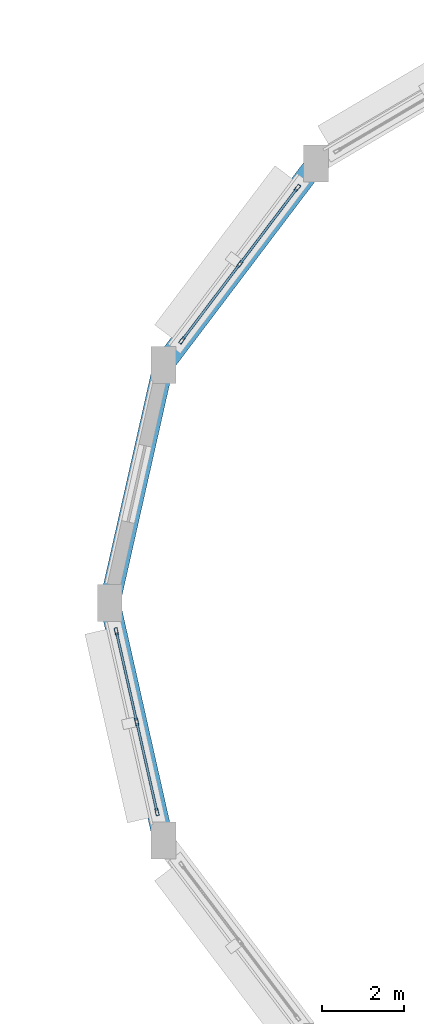
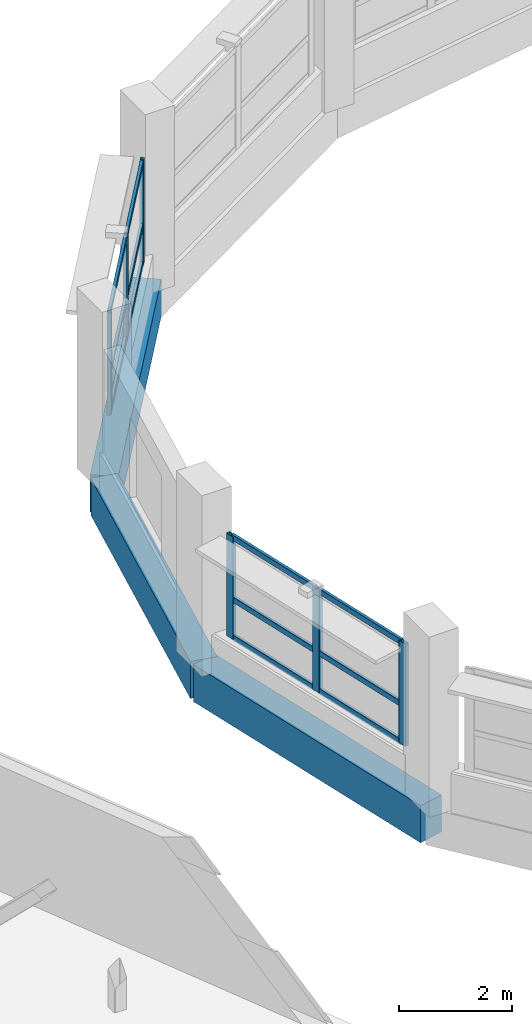
# One storey, part 53 of 121: 18 members, 3 beams, 2 elements without a shape of their own.
"""IFC4 building model written with IfcOpenShell, lengths in metres."""

from ifc_helpers import new_model, si_unit, direction, frame, origin, origin_2d, place, context, subcontext, project, spatial, rectangle, hollow_rectangle, extrude, material, layer, layer_set, material_profile, profile_set, type_object, element, aggregate, save


model = new_model("IFC4")

# Units and contexts
model_context = context("Model", 3, precision=1e-05, world=origin(), true_north=direction((0.0, 1.0)))
body_context = subcontext(model_context, "Body", "Model", "MODEL_VIEW")
ifc_project = project(units=[si_unit("LENGTHUNIT", "METRE"), si_unit("AREAUNIT", "SQUARE_METRE"), si_unit("VOLUMEUNIT", "CUBIC_METRE"), si_unit("PLANEANGLEUNIT", "RADIAN"), si_unit("MASSUNIT", "GRAM", prefix="KILO")], contexts=[model_context])

# Site, building, storey
site_placement = place(None, origin())
site = spatial("IfcSite", under=ifc_project, at=site_placement, CompositionType="ELEMENT")
building_placement = place(site_placement, origin())
building = spatial("IfcBuilding", under=site, at=building_placement, Name="Vespera Passage Community Centre", CompositionType="ELEMENT")
storey_placement = place(building_placement, frame((0.0, 0.0, 8.699951171875)))
storey = spatial("IfcBuildingStorey", under=building, at=storey_placement, Name="L02", CompositionType="ELEMENT", Elevation=8.699951171875)

# Beams
ifc_material_1 = material(Name="Concrete f'c 35 MPa", Category="concrete")
ifc_material_profile_1 = material_profile(ifc_material_1, rectangle(XDim=0.5, YDim=0.800048828125, at=origin_2d()), Name="RC500X800")
ifc_profile_set_1 = profile_set([ifc_material_profile_1], Name="Concrete f'c 35 MPa")
beam_type = type_object("IfcBeamType", Name="BM-SP-500X800E", PredefinedType="SPANDREL", material=ifc_profile_set_1)
beam_placement = place(storey_placement, frame((130.908447265625, 100.17724609375, -0.39990234375), z_axis=(-0.603409203322, -0.797431710773, 0.0), x_axis=(0.797431710773, -0.603409203322, 0.0)))
element("IfcBeam", 1, at=beam_placement, inside=storey, type_object=beam_type, Name="V2 L02 Perimeter Spandrel 7", PredefinedType="SPANDREL", context=body_context, shape_type="SweptSolid", body=[
    extrude(rectangle(XDim=0.5, YDim=0.800048828125, at=origin_2d()), origin(), (0.0, 0.0, 1.0), 6.14306640625),
])
for number, where, z_axis, x_axis, name in (
    (2, (127.20166015625, 95.278564453125, -0.39990234375), (-0.219766204697, -0.9755525692, 0.0), (0.9755525692, -0.219766204697, 0.0), "V2 L02 Perimeter Spandrel 8"),
    (3, (125.89990234375, 89.5, -0.39990234375), (0.219766204697, -0.9755525692, 0.0), (0.9755525692, 0.219766204697, 0.0), "V2 L02 Perimeter Spandrel 9"),
):
    element("IfcBeam", number, at=place(storey_placement, frame(where, z_axis=z_axis, x_axis=x_axis)), inside=storey, type_object=beam_type, Name=name, PredefinedType="SPANDREL", context=body_context, shape_type="SweptSolid", body=[
        extrude(rectangle(XDim=0.5, YDim=0.800048828125, at=origin_2d()), origin(), (0.0, 0.0, 1.0), 5.92333984375),
    ])

# Curtain wall, members
ifc_material_2 = material(Name="Anodized aluminium 6063-T6", Category="aluminium")
ifc_layer_1 = layer(ifc_material_2, 0.159912109375)
ifc_layer_set_1 = layer_set([ifc_layer_1], Name="Anodized aluminium 6063-T6")
curtain_wall_type_1 = type_object("IfcCurtainWallType", Name="CW-98E", PredefinedType="NOTDEFINED", material=ifc_layer_set_1)
curtain_wall_1_placement = place(storey_placement, origin())
curtain_wall_1 = element("IfcCurtainWall", 4, at=curtain_wall_1_placement, inside=storey, type_object=curtain_wall_type_1, Name="Sports Drum Ribbon Curtain Wall L02.7", PredefinedType="NOTDEFINED")
ifc_material_3 = material(Name="Anodized aluminium 6063-T6", Category="aluminium")
ifc_material_profile_2 = material_profile(ifc_material_3, hollow_rectangle(XDim=0.074951171875, YDim=0.179931640625, WallThickness=0.0048828125, InnerFilletRadius=0.00244140625, OuterFilletRadius=0.0048828125, at=origin_2d()), Name="ALU180X75X5")
ifc_profile_set_2 = profile_set([ifc_material_profile_2], Name="Anodized aluminium 6063-T6")
member_type_1 = type_object("IfcMemberType", Name="MB-CWM-180E", PredefinedType="MULLION", material=ifc_profile_set_2)
member_1_placement = place(storey_placement, frame((127.654052734375, 95.876220703125, 0.85009765625), z_axis=(0.0, 0.0, 1.0), x_axis=(-0.797434495654, 0.603405522961, 0.0)))
member_1 = element("IfcMember", 5, at=member_1_placement, type_object=member_type_1, Name="CW-98E mullion 1", PredefinedType="MULLION", context=body_context, shape_type="SweptSolid", body=[
    extrude(hollow_rectangle(XDim=0.074951171875, YDim=0.179931640625, WallThickness=0.0048828125, InnerFilletRadius=0.00244140625, OuterFilletRadius=0.0048828125, at=origin_2d()), origin(), (0.0, 0.0, 1.0), 2.21484375),
])
member_2_placement = place(storey_placement, frame((129.05517578125, 97.727783203125, 0.85009765625), z_axis=(0.0, 0.0, 1.0), x_axis=(-0.797434495654, 0.603405522961, 0.0)))
member_2 = element("IfcMember", 6, at=member_2_placement, type_object=member_type_1, Name="CW-98E mullion 2", PredefinedType="MULLION", context=body_context, shape_type="SweptSolid", body=[
    extrude(hollow_rectangle(XDim=0.074951171875, YDim=0.179931640625, WallThickness=0.0048828125, InnerFilletRadius=0.00244140625, OuterFilletRadius=0.0048828125, at=origin_2d()), origin(), (0.0, 0.0, 1.0), 2.21484375),
])
member_3_placement = place(storey_placement, frame((130.4560546875, 99.57958984375, 0.85009765625), z_axis=(0.0, 0.0, 1.0), x_axis=(-0.797434495654, 0.603405522961, 0.0)))
member_3 = element("IfcMember", 7, at=member_3_placement, type_object=member_type_1, Name="CW-98E mullion 3", PredefinedType="MULLION", context=body_context, shape_type="SweptSolid", body=[
    extrude(hollow_rectangle(XDim=0.074951171875, YDim=0.179931640625, WallThickness=0.0048828125, InnerFilletRadius=0.00244140625, OuterFilletRadius=0.0048828125, at=origin_2d()), origin(), (0.0, 0.0, 1.0), 2.21484375),
])

ifc_material_4 = material(Name="Anodized aluminium 6063-T6", Category="aluminium")
ifc_layer_2 = layer(ifc_material_4, 0.159912109375)
ifc_layer_set_2 = layer_set([ifc_layer_2], Name="Anodized aluminium 6063-T6")
curtain_wall_type_2 = type_object("IfcCurtainWallType", Name="CW-97E", PredefinedType="NOTDEFINED", material=ifc_layer_set_2)
curtain_wall_2_placement = place(storey_placement, origin())
curtain_wall_2 = element("IfcCurtainWall", 8, at=curtain_wall_2_placement, inside=storey, type_object=curtain_wall_type_2, Name="Sports Drum Ribbon Curtain Wall L02.9", PredefinedType="NOTDEFINED")
member_4_placement = place(storey_placement, frame((127.044921875, 84.417724609375, 0.85009765625), z_axis=(0.0, 0.0, 1.0), x_axis=(-0.975553383073, -0.219762591846, 0.0)))
member_4 = element("IfcMember", 9, at=member_4_placement, type_object=member_type_1, Name="CW-97E mullion 1", PredefinedType="MULLION", context=body_context, shape_type="SweptSolid", body=[
    extrude(hollow_rectangle(XDim=0.074951171875, YDim=0.179931640625, WallThickness=0.0048828125, InnerFilletRadius=0.00244140625, OuterFilletRadius=0.0048828125, at=origin_2d()), origin(), (0.0, 0.0, 1.0), 2.21484375),
])
member_5_placement = place(storey_placement, frame((126.55078125, 86.61083984375, 0.85009765625), z_axis=(0.0, 0.0, 1.0), x_axis=(-0.975553383073, -0.219762591846, 0.0)))
member_5 = element("IfcMember", 10, at=member_5_placement, type_object=member_type_1, Name="CW-97E mullion 2", PredefinedType="MULLION", context=body_context, shape_type="SweptSolid", body=[
    extrude(hollow_rectangle(XDim=0.074951171875, YDim=0.179931640625, WallThickness=0.0048828125, InnerFilletRadius=0.00244140625, OuterFilletRadius=0.0048828125, at=origin_2d()), origin(), (0.0, 0.0, 1.0), 2.21484375),
])
member_6_placement = place(storey_placement, frame((126.056884765625, 88.8037109375, 0.85009765625), z_axis=(0.0, 0.0, 1.0), x_axis=(-0.975553383073, -0.219762591846, 0.0)))
member_6 = element("IfcMember", 11, at=member_6_placement, type_object=member_type_1, Name="CW-97E mullion 3", PredefinedType="MULLION", context=body_context, shape_type="SweptSolid", body=[
    extrude(hollow_rectangle(XDim=0.074951171875, YDim=0.179931640625, WallThickness=0.0048828125, InnerFilletRadius=0.00244140625, OuterFilletRadius=0.0048828125, at=origin_2d()), origin(), (0.0, 0.0, 1.0), 2.21484375),
])

# Member
ifc_material_5 = material(Name="Anodized aluminium 6063-T6", Category="aluminium")
ifc_material_profile_3 = material_profile(ifc_material_5, hollow_rectangle(XDim=0.06005859375, YDim=0.1201171875, WallThickness=0.00390625, InnerFilletRadius=0.001953125, OuterFilletRadius=0.00390625, at=origin_2d()), Name="ALU120X60X4")
ifc_profile_set_3 = profile_set([ifc_material_profile_3], Name="Anodized aluminium 6063-T6")
member_type_2 = type_object("IfcMemberType", Name="MB-CWT-120E", PredefinedType="USERDEFINED", material=ifc_profile_set_3)
member_7_placement = place(storey_placement, frame((127.6767578125, 95.90625, 0.880126953125), z_axis=(0.603384780926, 0.797450190386, 0.0), x_axis=(-0.797450190386, 0.603384780926, 0.0)))
member_7 = element("IfcMember", 12, at=member_7_placement, type_object=member_type_2, Name="CW-98E transom 1.1", ObjectType="TRANSOM", PredefinedType="USERDEFINED", context=body_context, shape_type="SweptSolid", body=[
    extrude(hollow_rectangle(XDim=0.06005859375, YDim=0.1201171875, WallThickness=0.00390625, InnerFilletRadius=0.001953125, OuterFilletRadius=0.00390625, at=origin_2d()), origin(), (0.0, 0.0, 1.0), 2.246826171875),
])

member_8_placement = place(storey_placement, frame((127.6767578125, 95.90625, 1.699951171875), z_axis=(0.603384780926, 0.797450190386, 0.0), x_axis=(-0.797450190386, 0.603384780926, 0.0)))
member_8 = element("IfcMember", 13, at=member_8_placement, type_object=member_type_2, Name="CW-98E transom 1.2", ObjectType="TRANSOM", PredefinedType="USERDEFINED", context=body_context, shape_type="SweptSolid", body=[
    extrude(hollow_rectangle(XDim=0.06005859375, YDim=0.1201171875, WallThickness=0.00390625, InnerFilletRadius=0.001953125, OuterFilletRadius=0.00390625, at=origin_2d()), origin(), (0.0, 0.0, 1.0), 2.246826171875),
])

member_9_placement = place(storey_placement, frame((127.6767578125, 95.90625, 3.03515625), z_axis=(0.603384780926, 0.797450190386, 0.0), x_axis=(-0.797450190386, 0.603384780926, 0.0)))
member_9 = element("IfcMember", 14, at=member_9_placement, type_object=member_type_2, Name="CW-98E transom 1.3", ObjectType="TRANSOM", PredefinedType="USERDEFINED", context=body_context, shape_type="SweptSolid", body=[
    extrude(hollow_rectangle(XDim=0.06005859375, YDim=0.1201171875, WallThickness=0.00390625, InnerFilletRadius=0.001953125, OuterFilletRadius=0.00390625, at=origin_2d()), origin(), (0.0, 0.0, 1.0), 2.246826171875),
])

member_10_placement = place(storey_placement, frame((129.07763671875, 97.7578125, 0.880126953125), z_axis=(0.603453873456, 0.797397907328, 0.0), x_axis=(-0.797397907328, 0.603453873456, 0.0)))
member_10 = element("IfcMember", 15, at=member_10_placement, type_object=member_type_2, Name="CW-98E transom 2.1", ObjectType="TRANSOM", PredefinedType="USERDEFINED", context=body_context, shape_type="SweptSolid", body=[
    extrude(hollow_rectangle(XDim=0.06005859375, YDim=0.1201171875, WallThickness=0.00390625, InnerFilletRadius=0.001953125, OuterFilletRadius=0.00390625, at=origin_2d()), origin(), (0.0, 0.0, 1.0), 2.2470703125),
])

member_11_placement = place(storey_placement, frame((129.07763671875, 97.7578125, 1.699951171875), z_axis=(0.603453873456, 0.797397907328, 0.0), x_axis=(-0.797397907328, 0.603453873456, 0.0)))
member_11 = element("IfcMember", 16, at=member_11_placement, type_object=member_type_2, Name="CW-98E transom 2.2", ObjectType="TRANSOM", PredefinedType="USERDEFINED", context=body_context, shape_type="SweptSolid", body=[
    extrude(hollow_rectangle(XDim=0.06005859375, YDim=0.1201171875, WallThickness=0.00390625, InnerFilletRadius=0.001953125, OuterFilletRadius=0.00390625, at=origin_2d()), origin(), (0.0, 0.0, 1.0), 2.2470703125),
])

member_12_placement = place(storey_placement, frame((129.07763671875, 97.7578125, 3.03515625), z_axis=(0.603453873456, 0.797397907328, 0.0), x_axis=(-0.797397907328, 0.603453873456, 0.0)))
member_12 = element("IfcMember", 17, at=member_12_placement, type_object=member_type_2, Name="CW-98E transom 2.3", ObjectType="TRANSOM", PredefinedType="USERDEFINED", context=body_context, shape_type="SweptSolid", body=[
    extrude(hollow_rectangle(XDim=0.06005859375, YDim=0.1201171875, WallThickness=0.00390625, InnerFilletRadius=0.001953125, OuterFilletRadius=0.00390625, at=origin_2d()), origin(), (0.0, 0.0, 1.0), 2.2470703125),
])

aggregate(curtain_wall_1, [member_1, member_2, member_3, member_7, member_8, member_9, member_10, member_11, member_12])

member_13_placement = place(storey_placement, frame((127.03662109375, 84.454345703125, 0.880126953125), z_axis=(-0.219760819775, 0.975553782265, 0.0), x_axis=(-0.975553782265, -0.219760819775, 0.0)))
member_13 = element("IfcMember", 18, at=member_13_placement, type_object=member_type_2, Name="CW-97E transom 1.1", ObjectType="TRANSOM", PredefinedType="USERDEFINED", context=body_context, shape_type="SweptSolid", body=[
    extrude(hollow_rectangle(XDim=0.06005859375, YDim=0.1201171875, WallThickness=0.00390625, InnerFilletRadius=0.001953125, OuterFilletRadius=0.00390625, at=origin_2d()), origin(), (0.0, 0.0, 1.0), 2.173095703125),
])

member_14_placement = place(storey_placement, frame((127.03662109375, 84.454345703125, 1.699951171875), z_axis=(-0.219760819775, 0.975553782265, 0.0), x_axis=(-0.975553782265, -0.219760819775, 0.0)))
member_14 = element("IfcMember", 19, at=member_14_placement, type_object=member_type_2, Name="CW-97E transom 1.2", ObjectType="TRANSOM", PredefinedType="USERDEFINED", context=body_context, shape_type="SweptSolid", body=[
    extrude(hollow_rectangle(XDim=0.06005859375, YDim=0.1201171875, WallThickness=0.00390625, InnerFilletRadius=0.001953125, OuterFilletRadius=0.00390625, at=origin_2d()), origin(), (0.0, 0.0, 1.0), 2.173095703125),
])

member_15_placement = place(storey_placement, frame((127.03662109375, 84.454345703125, 3.03515625), z_axis=(-0.219760819775, 0.975553782265, 0.0), x_axis=(-0.975553782265, -0.219760819775, 0.0)))
member_15 = element("IfcMember", 20, at=member_15_placement, type_object=member_type_2, Name="CW-97E transom 1.3", ObjectType="TRANSOM", PredefinedType="USERDEFINED", context=body_context, shape_type="SweptSolid", body=[
    extrude(hollow_rectangle(XDim=0.06005859375, YDim=0.1201171875, WallThickness=0.00390625, InnerFilletRadius=0.001953125, OuterFilletRadius=0.00390625, at=origin_2d()), origin(), (0.0, 0.0, 1.0), 2.173095703125),
])

member_16_placement = place(storey_placement, frame((126.542724609375, 86.647216796875, 0.880126953125), z_axis=(-0.219760819775, 0.975553782265, 0.0), x_axis=(-0.975553782265, -0.219760819775, 0.0)))
member_16 = element("IfcMember", 21, at=member_16_placement, type_object=member_type_2, Name="CW-97E transom 2.1", ObjectType="TRANSOM", PredefinedType="USERDEFINED", context=body_context, shape_type="SweptSolid", body=[
    extrude(hollow_rectangle(XDim=0.06005859375, YDim=0.1201171875, WallThickness=0.00390625, InnerFilletRadius=0.001953125, OuterFilletRadius=0.00390625, at=origin_2d()), origin(), (0.0, 0.0, 1.0), 2.173095703125),
])

member_17_placement = place(storey_placement, frame((126.542724609375, 86.647216796875, 1.699951171875), z_axis=(-0.219760819775, 0.975553782265, 0.0), x_axis=(-0.975553782265, -0.219760819775, 0.0)))
member_17 = element("IfcMember", 22, at=member_17_placement, type_object=member_type_2, Name="CW-97E transom 2.2", ObjectType="TRANSOM", PredefinedType="USERDEFINED", context=body_context, shape_type="SweptSolid", body=[
    extrude(hollow_rectangle(XDim=0.06005859375, YDim=0.1201171875, WallThickness=0.00390625, InnerFilletRadius=0.001953125, OuterFilletRadius=0.00390625, at=origin_2d()), origin(), (0.0, 0.0, 1.0), 2.173095703125),
])

member_18_placement = place(storey_placement, frame((126.542724609375, 86.647216796875, 3.03515625), z_axis=(-0.219760819775, 0.975553782265, 0.0), x_axis=(-0.975553782265, -0.219760819775, 0.0)))
member_18 = element("IfcMember", 23, at=member_18_placement, type_object=member_type_2, Name="CW-97E transom 2.3", ObjectType="TRANSOM", PredefinedType="USERDEFINED", context=body_context, shape_type="SweptSolid", body=[
    extrude(hollow_rectangle(XDim=0.06005859375, YDim=0.1201171875, WallThickness=0.00390625, InnerFilletRadius=0.001953125, OuterFilletRadius=0.00390625, at=origin_2d()), origin(), (0.0, 0.0, 1.0), 2.173095703125),
])

aggregate(curtain_wall_2, [member_4, member_5, member_6, member_13, member_14, member_15, member_16, member_17, member_18])

save(model, "model.ifc")
